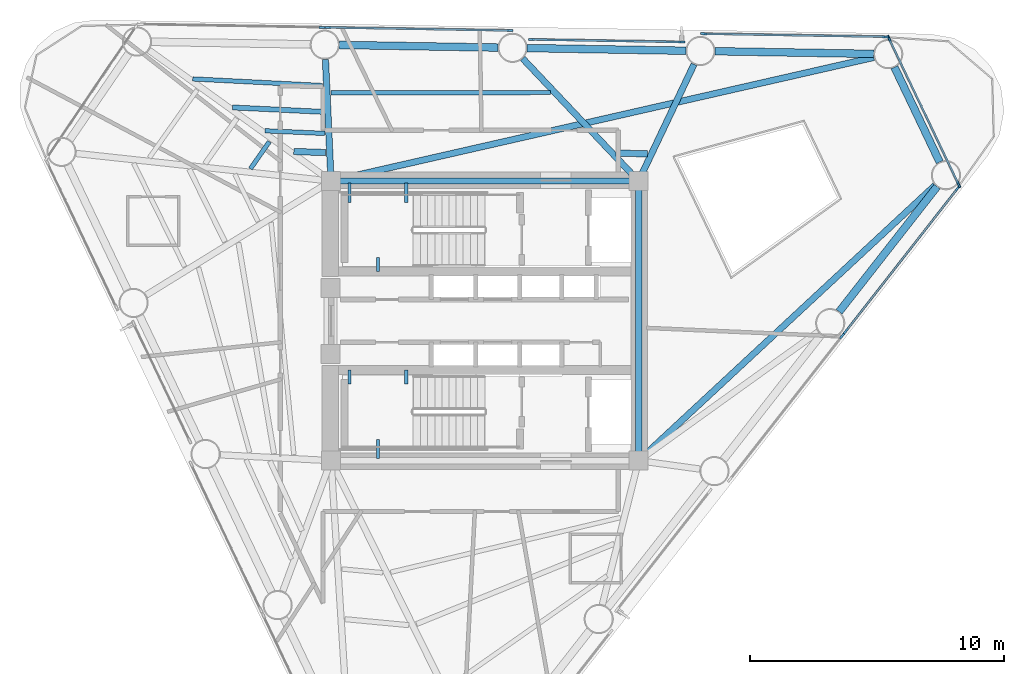
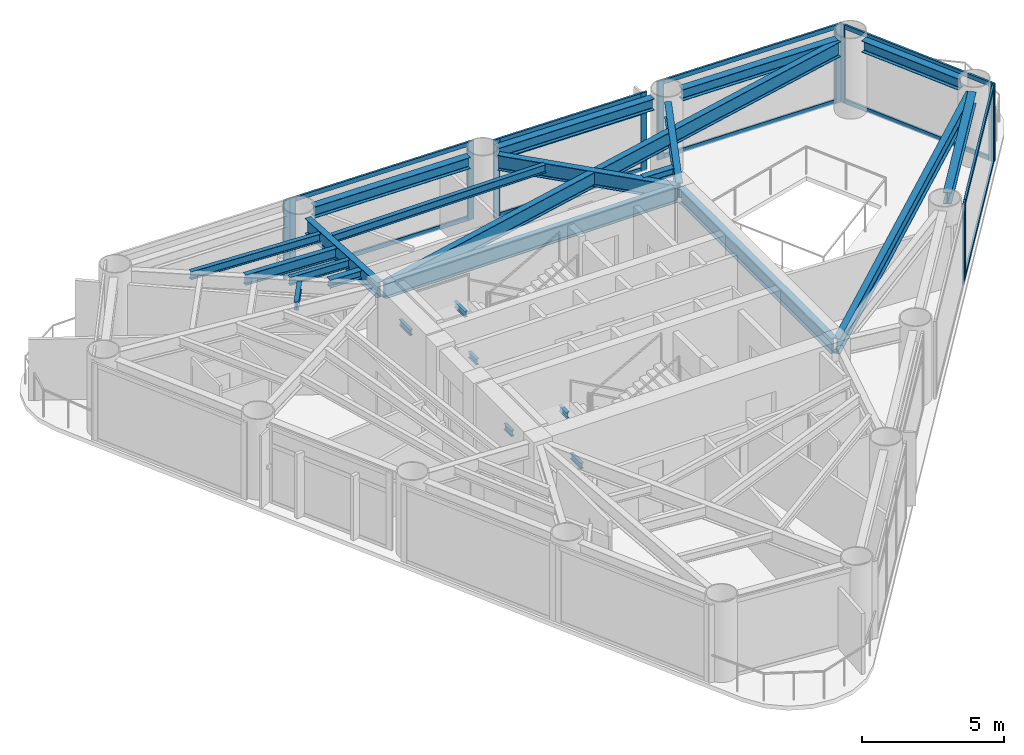
# One storey, part 3 of 9: 25 beams, 23 members, 7 elements without a shape of their own.
"""IFC4 building model written with IfcOpenShell, lengths in metres."""

from ifc_helpers import new_model, si_unit, direction, frame, origin, origin_2d, place, context, subcontext, project, spatial, rectangle, i_section, extrude, source, transform, mapped, material, layer, layer_set, material_profile, profile_set, type_object, element, aggregate, save


model = new_model("IFC4")

# Units and contexts
model_context = context("Model", 3, precision=1e-05, world=origin(), true_north=direction((0.0, 1.0)))
body_context = subcontext(model_context, "Body", "Model", "MODEL_VIEW")
ifc_project = project(units=[si_unit("LENGTHUNIT", "METRE"), si_unit("AREAUNIT", "SQUARE_METRE"), si_unit("VOLUMEUNIT", "CUBIC_METRE"), si_unit("PLANEANGLEUNIT", "RADIAN"), si_unit("MASSUNIT", "GRAM", prefix="KILO")], contexts=[model_context])

# Site, building, storey
site_placement = place(None, origin())
site = spatial("IfcSite", under=ifc_project, at=site_placement, CompositionType="ELEMENT")
building_placement = place(site_placement, origin())
building = spatial("IfcBuilding", under=site, at=building_placement, Name="Yunling Apex Tower", CompositionType="ELEMENT")
storey_placement = place(building_placement, frame((0.0, 0.0, 194.89990234375)))
storey = spatial("IfcBuildingStorey", under=building, at=storey_placement, Name="L47", CompositionType="ELEMENT", Elevation=194.89990234375)

# Beams
ifc_material_1 = material(Name="Steel Q355B", Category="steel")
ifc_material_profile_1 = material_profile(ifc_material_1, i_section(OverallWidth=0.125, OverallDepth=0.25, WebThickness=0.006103515625, FlangeThickness=0.009033203125, FilletRadius=0.011962890625, at=origin_2d()))
ifc_profile_set_1 = profile_set([ifc_material_profile_1], Name="Steel Q355B")
beam_type_1 = type_object("IfcBeamType", Name="BL-LNT-1", PredefinedType="LINTEL", material=ifc_profile_set_1)
shared_shape_1 = source(origin(), body_context, "Body", "SweptSolid", [
    extrude(i_section(OverallWidth=0.125, OverallDepth=0.25, WebThickness=0.006103515625, FlangeThickness=0.009033203125, FilletRadius=0.011962890625, at=origin_2d()), origin(), (0.0, 0.0, 1.0), 0.760009765625),
])
for number, where, z_axis, x_axis, name in (
    (1, (-5.320068359375, 5.419921875, 1.405029296875), (0.0, -1.0, 0.0), (1.0, 0.0, 0.0), "L47 ST-1 Landing Bearing Corbel 1-1"),
    (2, (-3.090087890625, 5.419921875, 1.405029296875), (0.0, -1.0, 0.0), (1.0, 0.0, 0.0), "L47 ST-1 Landing Bearing Corbel 1-2"),
    (3, (-4.205078125, -5.419921875, 1.405029296875), (0.0, 1.0, 0.0), (-1.0, 0.0, 0.0), "L47 ST-2 Landing Bearing Corbel 1-3"),
):
    element("IfcBeam", number, at=place(storey_placement, frame(where, z_axis=z_axis, x_axis=x_axis)), inside=storey, type_object=beam_type_1, Name=name, PredefinedType="LINTEL", context=body_context, shape_type="MappedRepresentation", body=[
        mapped(shared_shape_1, transform((0.0, 0.0, 0.0), scale=1.0)),
    ])
shared_shape_2 = source(origin(), body_context, "Body", "SweptSolid", [
    extrude(i_section(OverallWidth=0.125, OverallDepth=0.25, WebThickness=0.006103515625, FlangeThickness=0.009033203125, FilletRadius=0.011962890625, at=origin_2d()), origin(), (0.0, 0.0, 1.0), 0.550048828125),
])
for number, where, z_axis, x_axis, name in (
    (4, (-4.205078125, 1.93994140625, 1.405029296875), (0.0, 1.0, 0.0), (-1.0, 0.0, 0.0), "L47 ST-1 Landing Bearing Corbel 1-3"),
    (5, (-5.320068359375, -1.93994140625, 1.405029296875), (0.0, -1.0, 0.0), (1.0, 0.0, 0.0), "L47 ST-2 Landing Bearing Corbel 1-1"),
    (6, (-3.090087890625, -1.93994140625, 1.405029296875), (0.0, -1.0, 0.0), (1.0, 0.0, 0.0), "L47 ST-2 Landing Bearing Corbel 1-2"),
):
    element("IfcBeam", number, at=place(storey_placement, frame(where, z_axis=z_axis, x_axis=x_axis)), inside=storey, type_object=beam_type_1, Name=name, PredefinedType="LINTEL", context=body_context, shape_type="MappedRepresentation", body=[
        mapped(shared_shape_2, transform((0.0, 0.0, 0.0), scale=1.0)),
    ])
ifc_material_profile_2 = material_profile(ifc_material_1, i_section(OverallWidth=0.25, OverallDepth=0.64990234375, WebThickness=0.011962890625, FlangeThickness=0.02001953125, FilletRadius=0.02392578125, at=origin_2d()))
ifc_profile_set_2 = profile_set([ifc_material_profile_2], Name="Steel Q355B")
beam_type_2 = type_object("IfcBeamType", Name="BG-PRI-4", PredefinedType="USERDEFINED", material=ifc_profile_set_2)
shared_shape_3 = source(origin(), body_context, "Body", "SweptSolid", [
    extrude(i_section(OverallWidth=0.25, OverallDepth=0.64990234375, WebThickness=0.011962890625, FlangeThickness=0.02001953125, FilletRadius=0.02392578125, at=origin_2d()), origin(), (0.0, 0.0, 1.0), 11.7998046875),
])
beam_1_placement = place(storey_placement, frame((5.89990234375, 5.5, 2.945068359375), z_axis=(-1.0, 0.0, 0.0), x_axis=(0.0, -1.0, 0.0)))
element("IfcBeam", 7, at=beam_1_placement, inside=storey, type_object=beam_type_2, Name="L47 Core Ring Tie Beam 3", ObjectType="GIRDER", PredefinedType="USERDEFINED", context=body_context, shape_type="MappedRepresentation", body=[
    mapped(shared_shape_3, transform((0.0, 0.0, 0.0), scale=1.0)),
])
shared_shape_4 = source(origin(), body_context, "Body", "SweptSolid", [
    extrude(i_section(OverallWidth=0.25, OverallDepth=0.64990234375, WebThickness=0.011962890625, FlangeThickness=0.02001953125, FilletRadius=0.02392578125, at=origin_2d()), origin(), (0.0, 0.0, 1.0), 10.7001953125),
])
beam_2_placement = place(storey_placement, frame((6.050048828125, -5.35009765625, 2.945068359375), z_axis=(0.0, 1.0, 0.0), x_axis=(-1.0, 0.0, 0.0)))
element("IfcBeam", 8, at=beam_2_placement, inside=storey, type_object=beam_type_2, Name="L47 Core Ring Tie Beam 2", ObjectType="GIRDER", PredefinedType="USERDEFINED", context=body_context, shape_type="MappedRepresentation", body=[
    mapped(shared_shape_4, transform((0.0, 0.0, 0.0), scale=1.0)),
])
ifc_material_profile_3 = material_profile(ifc_material_1, i_section(OverallWidth=0.300048828125, OverallDepth=0.489990234375, WebThickness=0.010986328125, FlangeThickness=0.01806640625, FilletRadius=0.02197265625, at=origin_2d()))
ifc_profile_set_3 = profile_set([ifc_material_profile_3], Name="Steel Q355B")
beam_type_3 = type_object("IfcBeamType", Name="BP-SPN-2", PredefinedType="SPANDREL", material=ifc_profile_set_3)
shared_shape_5 = source(origin(), body_context, "Body", "SweptSolid", [
    extrude(i_section(OverallWidth=0.300048828125, OverallDepth=0.489990234375, WebThickness=0.010986328125, FlangeThickness=0.01806640625, FilletRadius=0.02197265625, at=origin_2d()), origin(), (0.0, 0.0, 1.0), 6.252685546875),
])
beam_3_placement = place(storey_placement, frame((13.940185546875, 0.35791015625, 3.025146484375), z_axis=(0.616211399259, 0.787580796759, 0.0), x_axis=(-0.787580796759, 0.616211399259, 0.0)))
element("IfcBeam", 9, at=beam_3_placement, inside=storey, type_object=beam_type_3, Name="L47 Perimeter Spandrel Beam 4", PredefinedType="SPANDREL", context=body_context, shape_type="MappedRepresentation", body=[
    mapped(shared_shape_5, transform((0.0, 0.0, 0.0), scale=1.0)),
])
shared_shape_6 = source(origin(), body_context, "Body", "SweptSolid", [
    extrude(i_section(OverallWidth=0.300048828125, OverallDepth=0.489990234375, WebThickness=0.010986328125, FlangeThickness=0.01806640625, FilletRadius=0.02197265625, at=origin_2d()), origin(), (0.0, 0.0, 1.0), 6.253173828125),
])
for number, where, z_axis, x_axis, name in (
    (10, (15.302978515625, 10.50341796875, 3.025146484375), (-0.999859061432, 0.016788605428, 0.0), (-0.016788605428, -0.999859061432, 0.0), "L47 Perimeter Spandrel Beam 6"),
    (11, (7.9130859375, 10.627197265625, 3.025146484375), (-0.999859061432, 0.016788605428, 0.0), (-0.016788605428, -0.999859061432, 0.0), "L47 Perimeter Spandrel Beam 7"),
    (12, (0.523193359375, 10.751220703125, 3.025146484375), (-0.99985971606, 0.016749573126, 0.0), (-0.016749573126, -0.99985971606, 0.0), "L47 Perimeter Spandrel Beam 8"),
):
    element("IfcBeam", number, at=place(storey_placement, frame(where, z_axis=z_axis, x_axis=x_axis)), inside=storey, type_object=beam_type_3, Name=name, PredefinedType="SPANDREL", context=body_context, shape_type="MappedRepresentation", body=[
        mapped(shared_shape_6, transform((0.0, 0.0, 0.0), scale=1.0)),
    ])
shared_shape_7 = source(origin(), body_context, "Body", "SweptSolid", [
    extrude(i_section(OverallWidth=0.300048828125, OverallDepth=0.489990234375, WebThickness=0.010986328125, FlangeThickness=0.01806640625, FilletRadius=0.02197265625, at=origin_2d()), origin(), (0.0, 0.0, 1.0), 4.139404296875),
])
beam_4_placement = place(storey_placement, frame((17.898681640625, 6.244140625, 3.025146484375), z_axis=(-0.430503573335, 0.902588872824, 0.0), x_axis=(-0.902588872824, -0.430503573335, 0.0)))
element("IfcBeam", 13, at=beam_4_placement, inside=storey, type_object=beam_type_3, Name="L47 Perimeter Spandrel Beam 5", PredefinedType="SPANDREL", context=body_context, shape_type="MappedRepresentation", body=[
    mapped(shared_shape_7, transform((0.0, 0.0, 0.0), scale=1.0)),
])
shared_shape_8 = source(origin(), body_context, "Body", "SweptSolid", [
    extrude(i_section(OverallWidth=0.25, OverallDepth=0.64990234375, WebThickness=0.011962890625, FlangeThickness=0.02001953125, FilletRadius=0.02392578125, at=origin_2d()), origin(), (0.0, 0.0, 1.0), 15.841064453125),
])
beam_5_placement = place(storey_placement, frame((17.716552734375, 5.333984375, 2.945068359375), z_axis=(-0.732769338977, -0.680477108986, 0.0), x_axis=(0.680477108986, -0.732769338977, 0.0)))
element("IfcBeam", 14, at=beam_5_placement, inside=storey, type_object=beam_type_2, Name="L47 Radial Primary Girder R05", ObjectType="GIRDER", PredefinedType="USERDEFINED", context=body_context, shape_type="MappedRepresentation", body=[
    mapped(shared_shape_8, transform((0.0, 0.0, 0.0), scale=1.0)),
])
shared_shape_9 = source(origin(), body_context, "Body", "SweptSolid", [
    extrude(i_section(OverallWidth=0.25, OverallDepth=0.64990234375, WebThickness=0.011962890625, FlangeThickness=0.02001953125, FilletRadius=0.02392578125, at=origin_2d()), origin(), (0.0, 0.0, 1.0), 21.820556640625),
])
beam_6_placement = place(storey_placement, frame((15.303466796875, 10.364501953125, 2.945068359375), z_axis=(-0.975020184512, -0.222116275394, 0.0), x_axis=(0.222116275394, -0.975020184512, 0.0)))
element("IfcBeam", 15, at=beam_6_placement, inside=storey, type_object=beam_type_2, Name="L47 Radial Primary Girder R06", ObjectType="GIRDER", PredefinedType="USERDEFINED", context=body_context, shape_type="MappedRepresentation", body=[
    mapped(shared_shape_9, transform((0.0, 0.0, 0.0), scale=1.0)),
])
shared_shape_10 = source(origin(), body_context, "Body", "SweptSolid", [
    extrude(i_section(OverallWidth=0.25, OverallDepth=0.64990234375, WebThickness=0.011962890625, FlangeThickness=0.02001953125, FilletRadius=0.02392578125, at=origin_2d()), origin(), (0.0, 0.0, 1.0), 5.00341796875),
])
beam_7_placement = place(storey_placement, frame((8.231689453125, 10.09130859375, 2.945068359375), z_axis=(-0.429206106824, -0.903206575411, 0.0), x_axis=(0.903206575411, -0.429206106824, 0.0)))
element("IfcBeam", 16, at=beam_7_placement, inside=storey, type_object=beam_type_2, Name="L47 Radial Primary Girder R07", ObjectType="GIRDER", PredefinedType="USERDEFINED", context=body_context, shape_type="MappedRepresentation", body=[
    mapped(shared_shape_10, transform((0.0, 0.0, 0.0), scale=1.0)),
])
shared_shape_11 = source(origin(), body_context, "Body", "SweptSolid", [
    extrude(i_section(OverallWidth=0.25, OverallDepth=0.64990234375, WebThickness=0.011962890625, FlangeThickness=0.02001953125, FilletRadius=0.02392578125, at=origin_2d()), origin(), (0.0, 0.0, 1.0), 6.552001953125),
])
beam_8_placement = place(storey_placement, frame((1.49267578125, 10.318115234375, 2.945068359375), z_axis=(0.687178062581, -0.726489029723, 0.0), x_axis=(0.726489029723, 0.687178062581, 0.0)))
element("IfcBeam", 17, at=beam_8_placement, inside=storey, type_object=beam_type_2, Name="L47 Radial Primary Girder R08", ObjectType="GIRDER", PredefinedType="USERDEFINED", context=body_context, shape_type="MappedRepresentation", body=[
    mapped(shared_shape_11, transform((0.0, 0.0, 0.0), scale=1.0)),
])
shared_shape_12 = source(origin(), body_context, "Body", "SweptSolid", [
    extrude(i_section(OverallWidth=0.25, OverallDepth=0.64990234375, WebThickness=0.011962890625, FlangeThickness=0.02001953125, FilletRadius=0.02392578125, at=origin_2d()), origin(), (0.0, 0.0, 1.0), 4.70849609375),
])
beam_9_placement = place(storey_placement, frame((-6.27099609375, 10.283203125, 2.945068359375), z_axis=(0.046148548326, -0.998934588193, 0.0), x_axis=(0.998934588193, 0.046148548326, 0.0)))
element("IfcBeam", 18, at=beam_9_placement, inside=storey, type_object=beam_type_2, Name="L47 Radial Primary Girder R09", ObjectType="GIRDER", PredefinedType="USERDEFINED", context=body_context, shape_type="MappedRepresentation", body=[
    mapped(shared_shape_12, transform((0.0, 0.0, 0.0), scale=1.0)),
])
ifc_material_profile_4 = material_profile(ifc_material_1, i_section(OverallWidth=0.25, OverallDepth=0.340087890625, WebThickness=0.009033203125, FlangeThickness=0.013916015625, FilletRadius=0.01806640625, at=origin_2d()))
ifc_profile_set_4 = profile_set([ifc_material_profile_4], Name="Steel Q355B")
beam_type_4 = type_object("IfcBeamType", Name="BJ-JST-2", PredefinedType="JOIST", material=ifc_profile_set_4)
shared_shape_13 = source(origin(), body_context, "Body", "SweptSolid", [
    extrude(i_section(OverallWidth=0.25, OverallDepth=0.340087890625, WebThickness=0.009033203125, FlangeThickness=0.013916015625, FilletRadius=0.01806640625, at=origin_2d()), origin(), (0.0, 0.0, 1.0), 1.23291015625),
])
beam_10_placement = place(storey_placement, frame((6.396728515625, 6.570556640625, 3.10009765625), z_axis=(-0.999688635189, 0.024952608565, 0.0), x_axis=(-0.024952608565, -0.999688635189, 0.0)))
element("IfcBeam", 19, at=beam_10_placement, inside=storey, type_object=beam_type_4, Name="L47 Composite Floor Joist BJ2-7", PredefinedType="JOIST", context=body_context, shape_type="MappedRepresentation", body=[
    mapped(shared_shape_13, transform((0.0, 0.0, 0.0), scale=1.0)),
])
ifc_material_profile_5 = material_profile(ifc_material_1, i_section(OverallWidth=0.175048828125, OverallDepth=0.35009765625, WebThickness=0.007080078125, FlangeThickness=0.010986328125, FilletRadius=0.013916015625, at=origin_2d()))
ifc_profile_set_5 = profile_set([ifc_material_profile_5], Name="Steel Q355B")
beam_type_5 = type_object("IfcBeamType", Name="BJ-JST-1", PredefinedType="JOIST", material=ifc_profile_set_5)
shared_shape_14 = source(origin(), body_context, "Body", "SweptSolid", [
    extrude(i_section(OverallWidth=0.175048828125, OverallDepth=0.35009765625, WebThickness=0.007080078125, FlangeThickness=0.010986328125, FilletRadius=0.013916015625, at=origin_2d()), origin(), (0.0, 0.0, 1.0), 8.643310546875),
])
beam_11_placement = place(storey_placement, frame((2.59326171875, 8.985107421875, 3.09521484375), z_axis=(-0.999997695824, -0.002146705784, 0.0), x_axis=(0.002146705784, -0.999997695824, 0.0)))
element("IfcBeam", 20, at=beam_11_placement, inside=storey, type_object=beam_type_5, Name="L47 Composite Floor Joist BJ1-8", PredefinedType="JOIST", context=body_context, shape_type="MappedRepresentation", body=[
    mapped(shared_shape_14, transform((0.0, 0.0, 0.0), scale=1.0)),
])
ifc_material_profile_6 = material_profile(ifc_material_1, i_section(OverallWidth=0.199951171875, OverallDepth=0.449951171875, WebThickness=0.009033203125, FlangeThickness=0.013916015625, FilletRadius=0.01806640625, at=origin_2d()))
ifc_profile_set_6 = profile_set([ifc_material_profile_6], Name="Steel Q355B")
beam_type_6 = type_object("IfcBeamType", Name="BS-SEC-3", PredefinedType="BEAM", material=ifc_profile_set_6)
shared_shape_15 = source(origin(), body_context, "Body", "SweptSolid", [
    extrude(i_section(OverallWidth=0.199951171875, OverallDepth=0.449951171875, WebThickness=0.009033203125, FlangeThickness=0.013916015625, FilletRadius=0.01806640625, at=origin_2d()), origin(), (0.0, 0.0, 1.0), 3.599853515625),
])
beam_12_placement = place(storey_placement, frame((-6.335205078125, 8.221435546875, 3.045166015625), z_axis=(-0.998820387083, 0.048557536471, 0.0), x_axis=(-0.048557536471, -0.998820387083, 0.0)))
element("IfcBeam", 21, at=beam_12_placement, inside=storey, type_object=beam_type_6, Name="L47 Composite Floor Beam BS-9", PredefinedType="BEAM", context=body_context, shape_type="MappedRepresentation", body=[
    mapped(shared_shape_15, transform((0.0, 0.0, 0.0), scale=1.0)),
])
shared_shape_16 = source(origin(), body_context, "Body", "SweptSolid", [
    extrude(i_section(OverallWidth=0.175048828125, OverallDepth=0.35009765625, WebThickness=0.007080078125, FlangeThickness=0.010986328125, FilletRadius=0.013916015625, at=origin_2d()), origin(), (0.0, 0.0, 1.0), 5.116455078125),
])
beam_13_placement = place(storey_placement, frame((-6.3828125, 9.256591796875, 3.09521484375), z_axis=(-0.998690915519, 0.051151297728, 0.0), x_axis=(-0.051151297728, -0.998690915519, 0.0)))
element("IfcBeam", 22, at=beam_13_placement, inside=storey, type_object=beam_type_5, Name="L47 Composite Floor Joist BJ1-9", PredefinedType="JOIST", context=body_context, shape_type="MappedRepresentation", body=[
    mapped(shared_shape_16, transform((0.0, 0.0, 0.0), scale=1.0)),
])
shared_shape_17 = source(origin(), body_context, "Body", "SweptSolid", [
    extrude(i_section(OverallWidth=0.175048828125, OverallDepth=0.35009765625, WebThickness=0.007080078125, FlangeThickness=0.010986328125, FilletRadius=0.013916015625, at=origin_2d()), origin(), (0.0, 0.0, 1.0), 2.35888671875),
])
beam_14_placement = place(storey_placement, frame((-6.296142578125, 7.374267578125, 3.09521484375), z_axis=(-0.999023067934, 0.044191738321, 0.0), x_axis=(-0.044191738321, -0.999023067934, 0.0)))
element("IfcBeam", 23, at=beam_14_placement, inside=storey, type_object=beam_type_5, Name="L47 Composite Floor Joist BJ3-9", PredefinedType="JOIST", context=body_context, shape_type="MappedRepresentation", body=[
    mapped(shared_shape_17, transform((0.0, 0.0, 0.0), scale=1.0)),
])
shared_shape_18 = source(origin(), body_context, "Body", "SweptSolid", [
    extrude(i_section(OverallWidth=0.25, OverallDepth=0.340087890625, WebThickness=0.009033203125, FlangeThickness=0.013916015625, FilletRadius=0.01806640625, at=origin_2d()), origin(), (0.0, 0.0, 1.0), 1.256103515625),
])
beam_15_placement = place(storey_placement, frame((-6.261474609375, 6.6201171875, 3.10009765625), z_axis=(-0.999394634841, 0.034790283866, 0.0), x_axis=(-0.034790283866, -0.999394634841, 0.0)))
element("IfcBeam", 24, at=beam_15_placement, inside=storey, type_object=beam_type_4, Name="L47 Composite Floor Joist BJ2-9", PredefinedType="JOIST", context=body_context, shape_type="MappedRepresentation", body=[
    mapped(shared_shape_18, transform((0.0, 0.0, 0.0), scale=1.0)),
])
shared_shape_19 = source(origin(), body_context, "Body", "SweptSolid", [
    extrude(i_section(OverallWidth=0.175048828125, OverallDepth=0.35009765625, WebThickness=0.007080078125, FlangeThickness=0.010986328125, FilletRadius=0.013916015625, at=origin_2d()), origin(), (0.0, 0.0, 1.0), 1.29736328125),
])
beam_16_placement = place(storey_placement, frame((-8.478515625, 7.04833984375, 3.09521484375), z_axis=(-0.572590644925, -0.819841419632, 0.0), x_axis=(0.819841419632, -0.572590644925, 0.0)))
element("IfcBeam", 25, at=beam_16_placement, inside=storey, type_object=beam_type_5, Name="L47 Composite Floor Joist BJ3-10", PredefinedType="JOIST", context=body_context, shape_type="MappedRepresentation", body=[
    mapped(shared_shape_19, transform((0.0, 0.0, 0.0), scale=1.0)),
])

# Curtain wall, member
ifc_material_2 = material(Name="Bronze anodised aluminium", Category="aluminium")
ifc_layer = layer(ifc_material_2, 0.239990234375)
ifc_layer_set = layer_set([ifc_layer], Name="Bronze anodised aluminium")
curtain_wall_type = type_object("IfcCurtainWallType", Name="CW-SYS-3", PredefinedType="NOTDEFINED", material=ifc_layer_set)
curtain_wall_1_placement = place(storey_placement, origin())
curtain_wall_1 = element("IfcCurtainWall", 26, at=curtain_wall_1_placement, inside=storey, type_object=curtain_wall_type, Name="CW-L47-F1-B3", PredefinedType="NOTDEFINED")
ifc_material_profile_7 = material_profile(ifc_material_2, rectangle(XDim=0.080078125, YDim=0.239990234375, at=origin_2d()))
ifc_profile_set_7 = profile_set([ifc_material_profile_7], Name="Bronze anodised aluminium")
member_type_1 = type_object("IfcMemberType", Name="CW-MUL-3", PredefinedType="MULLION", material=ifc_profile_set_7)
shared_shape_20 = source(origin(), body_context, "Body", "SweptSolid", [
    extrude(rectangle(XDim=0.080078125, YDim=0.239990234375, at=origin_2d()), origin(), (0.0, 0.0, 1.0), 3.369873046875),
])
member_1_placement = place(storey_placement, frame((14.051025390625, -0.603759765625, -0.0498046875), z_axis=(0.0, 0.0, 1.0), x_axis=(-0.787589332433, 0.616200489644, 0.0)))
member_1 = element("IfcMember", 27, at=member_1_placement, type_object=member_type_1, Name="CW-SYS-3 mullion 2", PredefinedType="MULLION", context=body_context, shape_type="MappedRepresentation", body=[
    mapped(shared_shape_20, transform((0.0, 0.0, 0.0), scale=1.0)),
])
aggregate(curtain_wall_1, [member_1])

# Curtain wall, members
curtain_wall_2_placement = place(storey_placement, origin())
curtain_wall_2 = element("IfcCurtainWall", 28, at=curtain_wall_2_placement, inside=storey, type_object=curtain_wall_type, Name="CW-L47-F1-B4", PredefinedType="NOTDEFINED")
member_2_placement = place(storey_placement, frame((14.198974609375, -0.414794921875, -0.0498046875), z_axis=(0.0, 0.0, 1.0), x_axis=(-0.787589332433, 0.616200489644, 0.0)))
member_2 = element("IfcMember", 29, at=member_2_placement, type_object=member_type_1, Name="CW-SYS-3 mullion 1", PredefinedType="MULLION", context=body_context, shape_type="MappedRepresentation", body=[
    mapped(shared_shape_20, transform((0.0, 0.0, 0.0), scale=1.0)),
])
member_3_placement = place(storey_placement, frame((18.60546875, 5.21728515625, -0.0498046875), z_axis=(0.0, 0.0, 1.0), x_axis=(-0.787589332433, 0.616200489644, 0.0)))
member_3 = element("IfcMember", 30, at=member_3_placement, type_object=member_type_1, Name="CW-SYS-3 mullion 2", PredefinedType="MULLION", context=body_context, shape_type="MappedRepresentation", body=[
    mapped(shared_shape_20, transform((0.0, 0.0, 0.0), scale=1.0)),
])

curtain_wall_3_placement = place(storey_placement, origin())
curtain_wall_3 = element("IfcCurtainWall", 31, at=curtain_wall_3_placement, inside=storey, type_object=curtain_wall_type, Name="CW-L47-CRN1", PredefinedType="NOTDEFINED")
member_4_placement = place(storey_placement, frame((18.646484375, 5.360107421875, -0.0498046875), z_axis=(0.0, 0.0, 1.0), x_axis=(-0.902577581426, -0.430527245951, 0.0)))
member_4 = element("IfcMember", 32, at=member_4_placement, type_object=member_type_1, Name="CW-SYS-3 mullion 1", PredefinedType="MULLION", context=body_context, shape_type="MappedRepresentation", body=[
    mapped(shared_shape_20, transform((0.0, 0.0, 0.0), scale=1.0)),
])
member_5_placement = place(storey_placement, frame((15.89990234375, 11.11767578125, -0.0498046875), z_axis=(0.0, 0.0, 1.0), x_axis=(-0.902577581426, -0.430527245951, 0.0)))
member_5 = element("IfcMember", 33, at=member_5_placement, type_object=member_type_1, Name="CW-SYS-3 mullion 2", PredefinedType="MULLION", context=body_context, shape_type="MappedRepresentation", body=[
    mapped(shared_shape_20, transform((0.0, 0.0, 0.0), scale=1.0)),
])

curtain_wall_4_placement = place(storey_placement, origin())
curtain_wall_4 = element("IfcCurtainWall", 34, at=curtain_wall_4_placement, inside=storey, type_object=curtain_wall_type, Name="CW-L47-F2-B1", PredefinedType="NOTDEFINED")
member_6_placement = place(storey_placement, frame((15.76318359375, 11.17578125, -0.0498046875), z_axis=(0.0, 0.0, 1.0), x_axis=(-0.016761362354, -0.999859518498, 0.0)))
member_6 = element("IfcMember", 35, at=member_6_placement, type_object=member_type_1, Name="CW-SYS-3 mullion 1", PredefinedType="MULLION", context=body_context, shape_type="MappedRepresentation", body=[
    mapped(shared_shape_20, transform((0.0, 0.0, 0.0), scale=1.0)),
])
member_7_placement = place(storey_placement, frame((8.61328125, 11.295654296875, -0.0498046875), z_axis=(0.0, 0.0, 1.0), x_axis=(-0.016761362354, -0.999859518498, 0.0)))
member_7 = element("IfcMember", 36, at=member_7_placement, type_object=member_type_1, Name="CW-SYS-3 mullion 2", PredefinedType="MULLION", context=body_context, shape_type="MappedRepresentation", body=[
    mapped(shared_shape_20, transform((0.0, 0.0, 0.0), scale=1.0)),
])

curtain_wall_5_placement = place(storey_placement, origin())
curtain_wall_5 = element("IfcCurtainWall", 37, at=curtain_wall_5_placement, inside=storey, type_object=curtain_wall_type, Name="CW-L47-F2-B2", PredefinedType="NOTDEFINED")
member_8_placement = place(storey_placement, frame((7.747802734375, 10.97021484375, -0.0498046875), z_axis=(0.0, 0.0, 1.0), x_axis=(-0.016758635119, -0.999859564213, 0.0)))
member_8 = element("IfcMember", 38, at=member_8_placement, type_object=member_type_1, Name="CW-SYS-3 mullion 1", PredefinedType="MULLION", context=body_context, shape_type="MappedRepresentation", body=[
    mapped(shared_shape_20, transform((0.0, 0.0, 0.0), scale=1.0)),
])
member_9_placement = place(storey_placement, frame((1.837646484375, 11.0693359375, -0.0498046875), z_axis=(0.0, 0.0, 1.0), x_axis=(-0.016758635119, -0.999859564213, 0.0)))
member_9 = element("IfcMember", 39, at=member_9_placement, type_object=member_type_1, Name="CW-SYS-3 mullion 2", PredefinedType="MULLION", context=body_context, shape_type="MappedRepresentation", body=[
    mapped(shared_shape_20, transform((0.0, 0.0, 0.0), scale=1.0)),
])

curtain_wall_6_placement = place(storey_placement, origin())
curtain_wall_6 = element("IfcCurtainWall", 40, at=curtain_wall_6_placement, inside=storey, type_object=curtain_wall_type, Name="CW-L47-F2-B3", PredefinedType="NOTDEFINED")
member_10_placement = place(storey_placement, frame((0.9833984375, 11.423583984375, -0.0498046875), z_axis=(0.0, 0.0, 1.0), x_axis=(-0.016747305141, -0.999859754051, 0.0)))
member_10 = element("IfcMember", 41, at=member_10_placement, type_object=member_type_1, Name="CW-SYS-3 mullion 1", PredefinedType="MULLION", context=body_context, shape_type="MappedRepresentation", body=[
    mapped(shared_shape_20, transform((0.0, 0.0, 0.0), scale=1.0)),
])
member_11_placement = place(storey_placement, frame((-6.16650390625, 11.54345703125, -0.0498046875), z_axis=(0.0, 0.0, 1.0), x_axis=(-0.016747305141, -0.999859754051, 0.0)))
member_11 = element("IfcMember", 42, at=member_11_placement, type_object=member_type_1, Name="CW-SYS-3 mullion 2", PredefinedType="MULLION", context=body_context, shape_type="MappedRepresentation", body=[
    mapped(shared_shape_20, transform((0.0, 0.0, 0.0), scale=1.0)),
])

# Curtain wall, member
curtain_wall_7_placement = place(storey_placement, origin())
curtain_wall_7 = element("IfcCurtainWall", 43, at=curtain_wall_7_placement, inside=storey, type_object=curtain_wall_type, Name="CW-L47-F2-B4", PredefinedType="NOTDEFINED")
member_12_placement = place(storey_placement, frame((-6.406494140625, 11.54736328125, -0.0498046875), z_axis=(0.0, 0.0, 1.0), x_axis=(-0.016761362354, -0.999859518498, 0.0)))
member_12 = element("IfcMember", 44, at=member_12_placement, type_object=member_type_1, Name="CW-SYS-3 mullion 1", PredefinedType="MULLION", context=body_context, shape_type="MappedRepresentation", body=[
    mapped(shared_shape_20, transform((0.0, 0.0, 0.0), scale=1.0)),
])
aggregate(curtain_wall_7, [member_12])

# Member
ifc_material_profile_8 = material_profile(ifc_material_2, rectangle(XDim=0.080078125, YDim=0.18505859375, at=origin_2d()))
ifc_profile_set_8 = profile_set([ifc_material_profile_8], Name="Bronze anodised aluminium")
member_type_2 = type_object("IfcMemberType", Name="CW-TRN-3", PredefinedType="USERDEFINED", material=ifc_profile_set_8)
shared_shape_21 = source(origin(), body_context, "Body", "SweptSolid", [
    extrude(rectangle(XDim=0.080078125, YDim=0.18505859375, at=origin_2d()), origin(), (0.0, 0.0, 1.0), 5.8388671875),
])
member_13_placement = place(storey_placement, frame((7.7119140625, 10.970703125, 0.0400390625), z_axis=(-0.99985942793, 0.016766764128, 0.0), x_axis=(-0.016766764128, -0.99985942793, 0.0)))
member_13 = element("IfcMember", 45, at=member_13_placement, type_object=member_type_2, Name="CW-SYS-3 transom 1.1", ObjectType="TRANSOM", PredefinedType="USERDEFINED", context=body_context, shape_type="MappedRepresentation", body=[
    mapped(shared_shape_21, transform((0.0, 0.0, 0.0), scale=1.0)),
])

member_14_placement = place(storey_placement, frame((7.7119140625, 10.970703125, 2.4853515625), z_axis=(-0.99985942793, 0.016766764128, 0.0), x_axis=(-0.016766764128, -0.99985942793, 0.0)))
member_14 = element("IfcMember", 46, at=member_14_placement, type_object=member_type_2, Name="CW-SYS-3 transom 1.2", ObjectType="TRANSOM", PredefinedType="USERDEFINED", context=body_context, shape_type="MappedRepresentation", body=[
    mapped(shared_shape_21, transform((0.0, 0.0, 0.0), scale=1.0)),
])

member_15_placement = place(storey_placement, frame((7.7119140625, 10.970703125, 3.22998046875), z_axis=(-0.99985942793, 0.016766764128, 0.0), x_axis=(-0.016766764128, -0.99985942793, 0.0)))
member_15 = element("IfcMember", 47, at=member_15_placement, type_object=member_type_2, Name="CW-SYS-3 transom 1.3", ObjectType="TRANSOM", PredefinedType="USERDEFINED", context=body_context, shape_type="MappedRepresentation", body=[
    mapped(shared_shape_21, transform((0.0, 0.0, 0.0), scale=1.0)),
])

aggregate(curtain_wall_5, [member_8, member_9, member_13, member_14, member_15])

shared_shape_22 = source(origin(), body_context, "Body", "SweptSolid", [
    extrude(rectangle(XDim=0.080078125, YDim=0.18505859375, at=origin_2d()), origin(), (0.0, 0.0, 1.0), 7.0791015625),
])
member_16_placement = place(storey_placement, frame((14.22119140625, -0.386474609375, 0.0400390625), z_axis=(0.616192015574, 0.78759596237, 0.0), x_axis=(-0.78759596237, 0.616192015574, 0.0)))
member_16 = element("IfcMember", 48, at=member_16_placement, type_object=member_type_2, Name="CW-SYS-3 transom 1.1", ObjectType="TRANSOM", PredefinedType="USERDEFINED", context=body_context, shape_type="MappedRepresentation", body=[
    mapped(shared_shape_22, transform((0.0, 0.0, 0.0), scale=1.0)),
])

member_17_placement = place(storey_placement, frame((14.22119140625, -0.386474609375, 3.22998046875), z_axis=(0.616192015574, 0.78759596237, 0.0), x_axis=(-0.78759596237, 0.616192015574, 0.0)))
member_17 = element("IfcMember", 49, at=member_17_placement, type_object=member_type_2, Name="CW-SYS-3 transom 1.2", ObjectType="TRANSOM", PredefinedType="USERDEFINED", context=body_context, shape_type="MappedRepresentation", body=[
    mapped(shared_shape_22, transform((0.0, 0.0, 0.0), scale=1.0)),
])

aggregate(curtain_wall_2, [member_2, member_3, member_16, member_17])

member_18_placement = place(storey_placement, frame((15.727294921875, 11.176513671875, 0.0400390625), z_axis=(-0.999859526413, 0.01676089024, 0.0), x_axis=(-0.01676089024, -0.999859526413, 0.0)))
member_18 = element("IfcMember", 50, at=member_18_placement, type_object=member_type_2, Name="CW-SYS-3 transom 1.1", ObjectType="TRANSOM", PredefinedType="USERDEFINED", context=body_context, shape_type="MappedRepresentation", body=[
    mapped(shared_shape_22, transform((0.0, 0.0, 0.0), scale=1.0)),
])

member_19_placement = place(storey_placement, frame((15.727294921875, 11.176513671875, 3.22998046875), z_axis=(-0.999859526413, 0.01676089024, 0.0), x_axis=(-0.01676089024, -0.999859526413, 0.0)))
member_19 = element("IfcMember", 51, at=member_19_placement, type_object=member_type_2, Name="CW-SYS-3 transom 1.2", ObjectType="TRANSOM", PredefinedType="USERDEFINED", context=body_context, shape_type="MappedRepresentation", body=[
    mapped(shared_shape_22, transform((0.0, 0.0, 0.0), scale=1.0)),
])

aggregate(curtain_wall_4, [member_6, member_7, member_18, member_19])

member_20_placement = place(storey_placement, frame((0.947509765625, 11.42431640625, 0.0400390625), z_axis=(-0.999860103777, 0.01672641247, 0.0), x_axis=(-0.01672641247, -0.999860103777, 0.0)))
member_20 = element("IfcMember", 52, at=member_20_placement, type_object=member_type_2, Name="CW-SYS-3 transom 1.1", ObjectType="TRANSOM", PredefinedType="USERDEFINED", context=body_context, shape_type="MappedRepresentation", body=[
    mapped(shared_shape_22, transform((0.0, 0.0, 0.0), scale=1.0)),
])

member_21_placement = place(storey_placement, frame((0.947509765625, 11.42431640625, 3.22998046875), z_axis=(-0.999860103777, 0.01672641247, 0.0), x_axis=(-0.01672641247, -0.999860103777, 0.0)))
member_21 = element("IfcMember", 53, at=member_21_placement, type_object=member_type_2, Name="CW-SYS-3 transom 1.2", ObjectType="TRANSOM", PredefinedType="USERDEFINED", context=body_context, shape_type="MappedRepresentation", body=[
    mapped(shared_shape_22, transform((0.0, 0.0, 0.0), scale=1.0)),
])

aggregate(curtain_wall_6, [member_10, member_11, member_20, member_21])

shared_shape_23 = source(origin(), body_context, "Body", "SweptSolid", [
    extrude(rectangle(XDim=0.080078125, YDim=0.18505859375, at=origin_2d()), origin(), (0.0, 0.0, 1.0), 6.30712890625),
])
member_22_placement = place(storey_placement, frame((18.630859375, 5.392578125, 0.0400390625), z_axis=(-0.430522496716, 0.902579846784, 0.0), x_axis=(-0.902579846784, -0.430522496716, 0.0)))
member_22 = element("IfcMember", 54, at=member_22_placement, type_object=member_type_2, Name="CW-SYS-3 transom 1.1", ObjectType="TRANSOM", PredefinedType="USERDEFINED", context=body_context, shape_type="MappedRepresentation", body=[
    mapped(shared_shape_23, transform((0.0, 0.0, 0.0), scale=1.0)),
])

member_23_placement = place(storey_placement, frame((18.630859375, 5.392578125, 3.22998046875), z_axis=(-0.430522496716, 0.902579846784, 0.0), x_axis=(-0.902579846784, -0.430522496716, 0.0)))
member_23 = element("IfcMember", 55, at=member_23_placement, type_object=member_type_2, Name="CW-SYS-3 transom 1.2", ObjectType="TRANSOM", PredefinedType="USERDEFINED", context=body_context, shape_type="MappedRepresentation", body=[
    mapped(shared_shape_23, transform((0.0, 0.0, 0.0), scale=1.0)),
])

aggregate(curtain_wall_3, [member_4, member_5, member_22, member_23])

save(model, "model.ifc")
